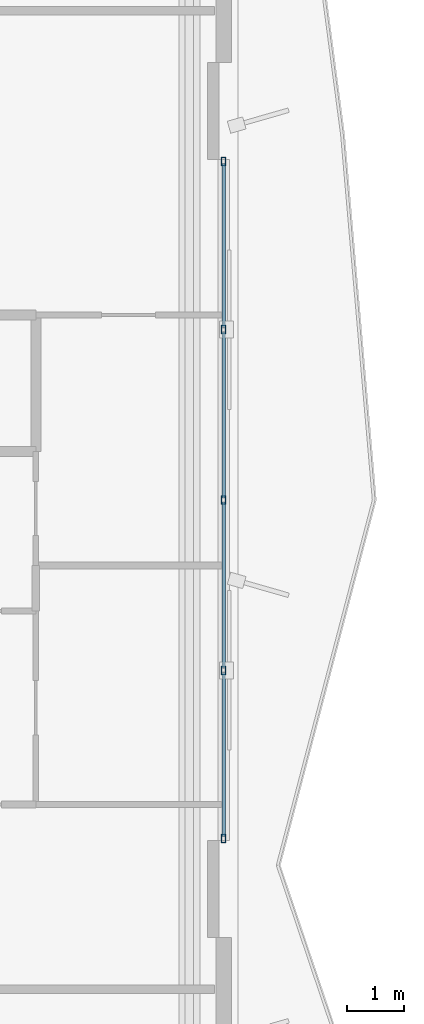
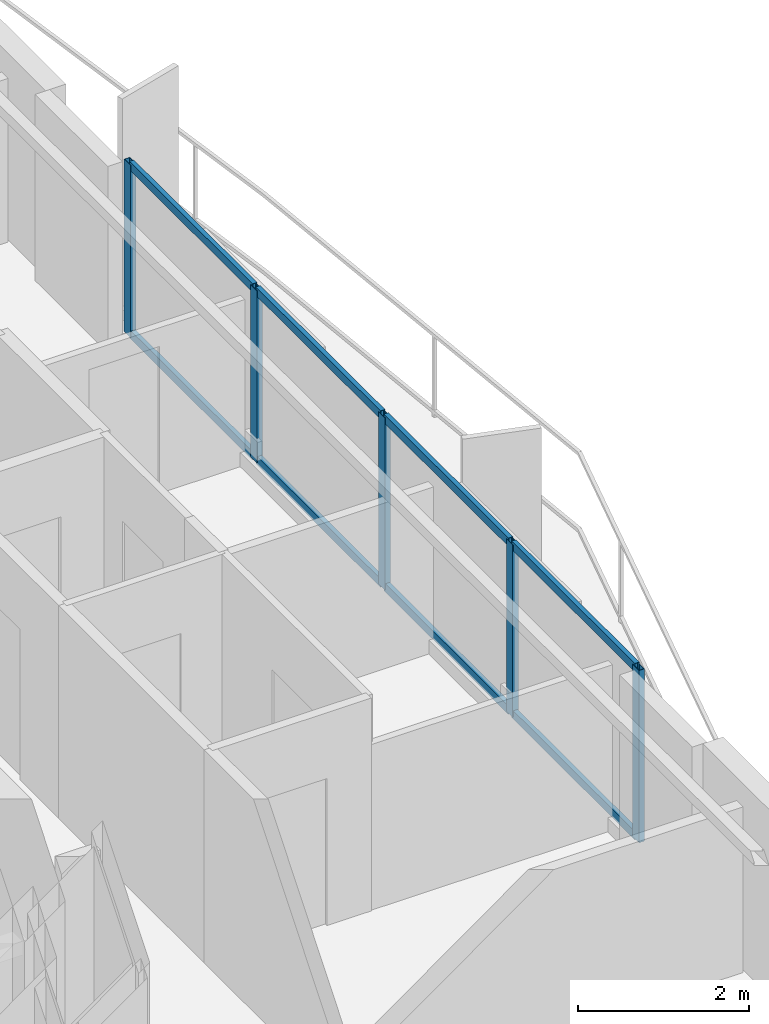
# One storey, part 6 of 19: 13 members, 1 element without a shape of its own.
"""IFC4 building model written with IfcOpenShell, lengths in metres."""

from ifc_helpers import new_model, si_unit, direction, frame, origin, origin_2d, place, context, subcontext, project, spatial, hollow_rectangle, extrude, material, layer, layer_set, material_profile, profile_set, type_object, element, aggregate, save


model = new_model("IFC4")

# Units and contexts
model_context = context("Model", 3, precision=1e-05, world=origin(), true_north=direction((0.0, 1.0)))
body_context = subcontext(model_context, "Body", "Model", "MODEL_VIEW")
ifc_project = project(units=[si_unit("LENGTHUNIT", "METRE"), si_unit("AREAUNIT", "SQUARE_METRE"), si_unit("VOLUMEUNIT", "CUBIC_METRE"), si_unit("PLANEANGLEUNIT", "RADIAN"), si_unit("MASSUNIT", "GRAM", prefix="KILO")], contexts=[model_context])

# Site, building, storey
site_placement = place(None, origin())
site = spatial("IfcSite", under=ifc_project, at=site_placement, CompositionType="ELEMENT")
building_placement = place(site_placement, origin())
building = spatial("IfcBuilding", under=site, at=building_placement, Name="Mersakhor Tower and Convention Hall", CompositionType="ELEMENT")
storey_placement = place(building_placement, frame((0.0, 0.0, 29.10009765625)))
storey = spatial("IfcBuildingStorey", under=building, at=storey_placement, Name="L07", CompositionType="ELEMENT", Elevation=29.10009765625)

# Curtain wall, members
ifc_material_1 = material(Name="Dark solar low-E aluminium curtain wall", Category="aluminium")
ifc_layer = layer(ifc_material_1, 0.159912109375)
ifc_layer_set = layer_set([ifc_layer], Name="Dark solar low-E aluminium curtain wall")
curtain_wall_type = type_object("IfcCurtainWallType", Name="CW-SYS-01", PredefinedType="USERDEFINED", material=ifc_layer_set)
curtain_wall_placement = place(storey_placement, origin())
curtain_wall = element("IfcCurtainWall", 1, at=curtain_wall_placement, inside=storey, type_object=curtain_wall_type, Name="L07 Dark-Glass Curtain Wall F2-B2", ObjectType="CURTAIN WALL", PredefinedType="USERDEFINED")
ifc_material_2 = material(Name="Anodised aluminium EN AW-6063 T6", Category="aluminium")
ifc_material_profile_1 = material_profile(ifc_material_2, hollow_rectangle(XDim=0.074951171875, YDim=0.14990234375, WallThickness=0.00634765625, at=origin_2d()), Name="RHS 150x75x6.3")
ifc_profile_set_1 = profile_set([ifc_material_profile_1], Name="Anodised aluminium EN AW-6063 T6")
member_type_1 = type_object("IfcMemberType", Name="CWM-150x75", PredefinedType="MULLION", material=ifc_profile_set_1)
member_1_placement = place(storey_placement, frame((43.85009765625, 32.69921875, 0.199951171875), z_axis=(0.0, 0.0, 1.0), x_axis=(1.0, 0.0, 0.0)))
member_1 = element("IfcMember", 2, at=member_1_placement, type_object=member_type_1, Name="CW-01 mullion 1", PredefinedType="MULLION", context=body_context, shape_type="SweptSolid", body=[
    extrude(hollow_rectangle(XDim=0.074951171875, YDim=0.14990234375, WallThickness=0.00634765625, at=origin_2d()), origin(), (0.0, 0.0, 1.0), 2.4599609375),
])
member_2_placement = place(storey_placement, frame((43.85009765625, 29.743408203125, 0.199951171875), z_axis=(0.0, 0.0, 1.0), x_axis=(1.0, 0.0, 0.0)))
member_2 = element("IfcMember", 3, at=member_2_placement, type_object=member_type_1, Name="CW-01 mullion 2", PredefinedType="MULLION", context=body_context, shape_type="SweptSolid", body=[
    extrude(hollow_rectangle(XDim=0.074951171875, YDim=0.14990234375, WallThickness=0.00634765625, at=origin_2d()), origin(), (0.0, 0.0, 1.0), 2.4599609375),
])
member_3_placement = place(storey_placement, frame((43.85009765625, 26.75, 0.199951171875), z_axis=(0.0, 0.0, 1.0), x_axis=(1.0, 0.0, 0.0)))
member_3 = element("IfcMember", 4, at=member_3_placement, type_object=member_type_1, Name="CW-01 mullion 3", PredefinedType="MULLION", context=body_context, shape_type="SweptSolid", body=[
    extrude(hollow_rectangle(XDim=0.074951171875, YDim=0.14990234375, WallThickness=0.00634765625, at=origin_2d()), origin(), (0.0, 0.0, 1.0), 2.4599609375),
])
member_4_placement = place(storey_placement, frame((43.85009765625, 23.756591796875, 0.199951171875), z_axis=(0.0, 0.0, 1.0), x_axis=(1.0, 0.0, 0.0)))
member_4 = element("IfcMember", 5, at=member_4_placement, type_object=member_type_1, Name="CW-01 mullion 4", PredefinedType="MULLION", context=body_context, shape_type="SweptSolid", body=[
    extrude(hollow_rectangle(XDim=0.074951171875, YDim=0.14990234375, WallThickness=0.00634765625, at=origin_2d()), origin(), (0.0, 0.0, 1.0), 2.4599609375),
])
member_5_placement = place(storey_placement, frame((43.85009765625, 20.80078125, 0.199951171875), z_axis=(0.0, 0.0, 1.0), x_axis=(1.0, 0.0, 0.0)))
member_5 = element("IfcMember", 6, at=member_5_placement, type_object=member_type_1, Name="CW-01 mullion 5", PredefinedType="MULLION", context=body_context, shape_type="SweptSolid", body=[
    extrude(hollow_rectangle(XDim=0.074951171875, YDim=0.14990234375, WallThickness=0.00634765625, at=origin_2d()), origin(), (0.0, 0.0, 1.0), 2.4599609375),
])
ifc_material_3 = material(Name="Anodised aluminium EN AW-6063 T6", Category="aluminium")
ifc_material_profile_2 = material_profile(ifc_material_3, hollow_rectangle(XDim=0.06005859375, YDim=0.1201171875, WallThickness=0.0048828125, at=origin_2d()), Name="RHS 120x60x5")
ifc_profile_set_2 = profile_set([ifc_material_profile_2], Name="Anodised aluminium EN AW-6063 T6")
member_type_2 = type_object("IfcMemberType", Name="CWT-120x60", PredefinedType="USERDEFINED", material=ifc_profile_set_2)
member_6_placement = place(storey_placement, frame((43.85009765625, 32.66162109375, 0.22998046875), z_axis=(0.0, -1.0, 0.0), x_axis=(1.0, 0.0, 0.0)))
member_6 = element("IfcMember", 7, at=member_6_placement, type_object=member_type_2, Name="CW-01 transom 1.1", ObjectType="TRANSOM", PredefinedType="USERDEFINED", context=body_context, shape_type="SweptSolid", body=[
    extrude(hollow_rectangle(XDim=0.06005859375, YDim=0.1201171875, WallThickness=0.0048828125, at=origin_2d()), origin(), (0.0, 0.0, 1.0), 2.880859375),
])
member_7_placement = place(storey_placement, frame((43.85009765625, 32.66162109375, 2.6298828125), z_axis=(0.0, -1.0, 0.0), x_axis=(1.0, 0.0, 0.0)))
member_7 = element("IfcMember", 8, at=member_7_placement, type_object=member_type_2, Name="CW-01 transom 1.2", ObjectType="TRANSOM", PredefinedType="USERDEFINED", context=body_context, shape_type="SweptSolid", body=[
    extrude(hollow_rectangle(XDim=0.06005859375, YDim=0.1201171875, WallThickness=0.0048828125, at=origin_2d()), origin(), (0.0, 0.0, 1.0), 2.880859375),
])
member_8_placement = place(storey_placement, frame((43.85009765625, 29.705810546875, 0.22998046875), z_axis=(0.0, -1.0, 0.0), x_axis=(1.0, 0.0, 0.0)))
member_8 = element("IfcMember", 9, at=member_8_placement, type_object=member_type_2, Name="CW-01 transom 2.1", ObjectType="TRANSOM", PredefinedType="USERDEFINED", context=body_context, shape_type="SweptSolid", body=[
    extrude(hollow_rectangle(XDim=0.06005859375, YDim=0.1201171875, WallThickness=0.0048828125, at=origin_2d()), origin(), (0.0, 0.0, 1.0), 2.918212890625),
])
member_9_placement = place(storey_placement, frame((43.85009765625, 29.705810546875, 2.6298828125), z_axis=(0.0, -1.0, 0.0), x_axis=(1.0, 0.0, 0.0)))
member_9 = element("IfcMember", 10, at=member_9_placement, type_object=member_type_2, Name="CW-01 transom 2.2", ObjectType="TRANSOM", PredefinedType="USERDEFINED", context=body_context, shape_type="SweptSolid", body=[
    extrude(hollow_rectangle(XDim=0.06005859375, YDim=0.1201171875, WallThickness=0.0048828125, at=origin_2d()), origin(), (0.0, 0.0, 1.0), 2.918212890625),
])
member_10_placement = place(storey_placement, frame((43.85009765625, 26.71240234375, 0.22998046875), z_axis=(0.0, -1.0, 0.0), x_axis=(1.0, 0.0, 0.0)))
member_10 = element("IfcMember", 11, at=member_10_placement, type_object=member_type_2, Name="CW-01 transom 3.1", ObjectType="TRANSOM", PredefinedType="USERDEFINED", context=body_context, shape_type="SweptSolid", body=[
    extrude(hollow_rectangle(XDim=0.06005859375, YDim=0.1201171875, WallThickness=0.0048828125, at=origin_2d()), origin(), (0.0, 0.0, 1.0), 2.918212890625),
])
member_11_placement = place(storey_placement, frame((43.85009765625, 26.71240234375, 2.6298828125), z_axis=(0.0, -1.0, 0.0), x_axis=(1.0, 0.0, 0.0)))
member_11 = element("IfcMember", 12, at=member_11_placement, type_object=member_type_2, Name="CW-01 transom 3.2", ObjectType="TRANSOM", PredefinedType="USERDEFINED", context=body_context, shape_type="SweptSolid", body=[
    extrude(hollow_rectangle(XDim=0.06005859375, YDim=0.1201171875, WallThickness=0.0048828125, at=origin_2d()), origin(), (0.0, 0.0, 1.0), 2.918212890625),
])
member_12_placement = place(storey_placement, frame((43.85009765625, 23.71923828125, 0.22998046875), z_axis=(0.0, -1.0, 0.0), x_axis=(1.0, 0.0, 0.0)))
member_12 = element("IfcMember", 13, at=member_12_placement, type_object=member_type_2, Name="CW-01 transom 4.1", ObjectType="TRANSOM", PredefinedType="USERDEFINED", context=body_context, shape_type="SweptSolid", body=[
    extrude(hollow_rectangle(XDim=0.06005859375, YDim=0.1201171875, WallThickness=0.0048828125, at=origin_2d()), origin(), (0.0, 0.0, 1.0), 2.880859375),
])
member_13_placement = place(storey_placement, frame((43.85009765625, 23.71923828125, 2.6298828125), z_axis=(0.0, -1.0, 0.0), x_axis=(1.0, 0.0, 0.0)))
member_13 = element("IfcMember", 14, at=member_13_placement, type_object=member_type_2, Name="CW-01 transom 4.2", ObjectType="TRANSOM", PredefinedType="USERDEFINED", context=body_context, shape_type="SweptSolid", body=[
    extrude(hollow_rectangle(XDim=0.06005859375, YDim=0.1201171875, WallThickness=0.0048828125, at=origin_2d()), origin(), (0.0, 0.0, 1.0), 2.880859375),
])
aggregate(curtain_wall, [member_1, member_2, member_3, member_4, member_5, member_6, member_7, member_8, member_9, member_10, member_11, member_12, member_13])

save(model, "model.ifc")
